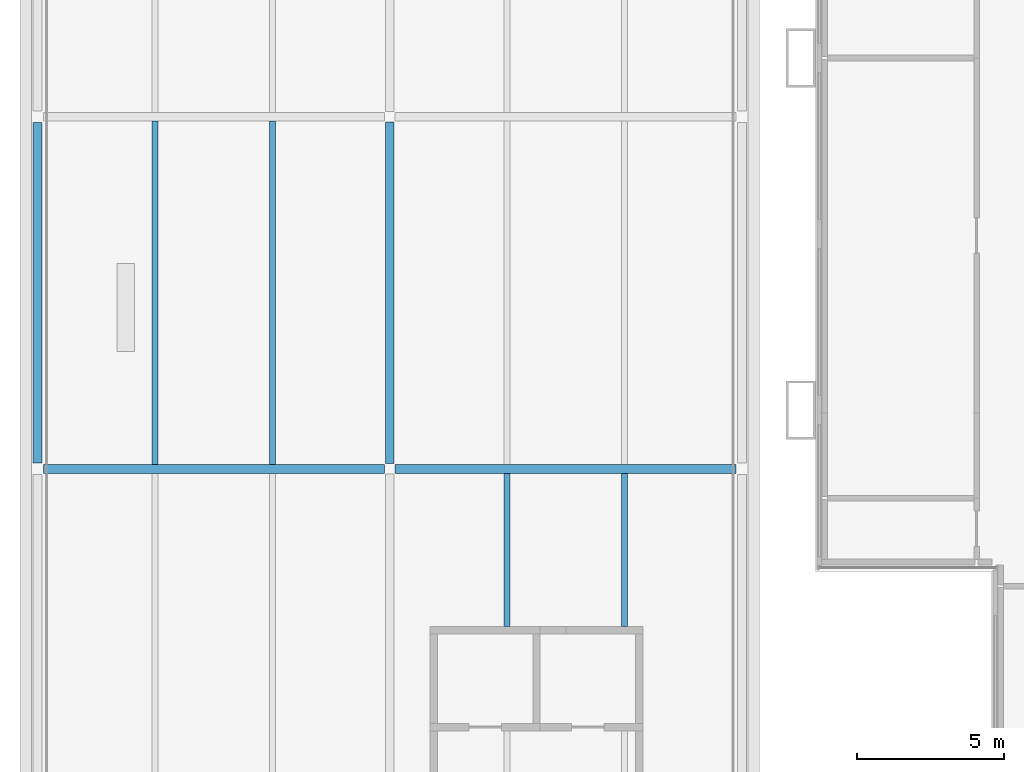
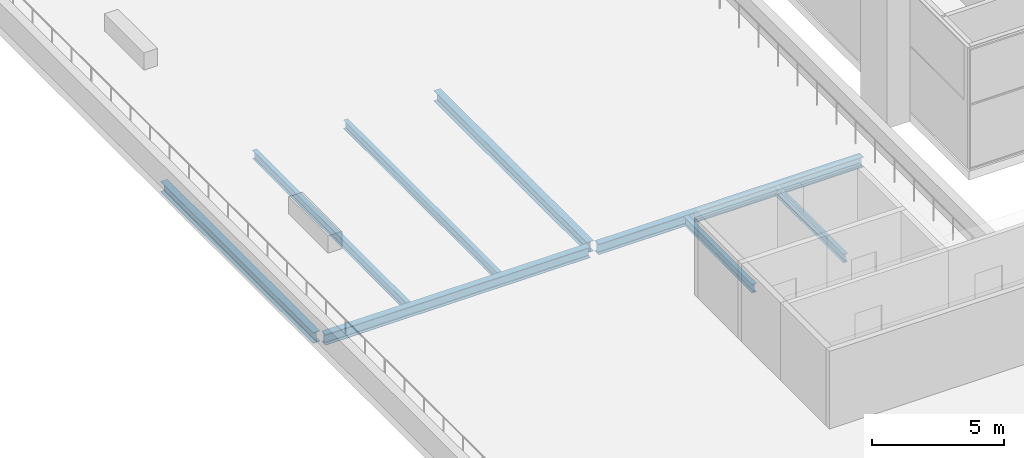
# One storey, part 4 of 27: 8 beams.
"""IFC4 building model written with IfcOpenShell, lengths in metres."""

from ifc_helpers import new_model, si_unit, direction, frame, origin, origin_2d, place, context, subcontext, project, spatial, i_section, extrude, material, material_profile, profile_set, type_object, element, save


model = new_model("IFC4")

# Units and contexts
model_context = context("Model", 3, precision=1e-05, world=origin(), true_north=direction((0.0, 1.0)))
body_context = subcontext(model_context, "Body", "Model", "MODEL_VIEW")
ifc_project = project(units=[si_unit("LENGTHUNIT", "METRE"), si_unit("AREAUNIT", "SQUARE_METRE"), si_unit("VOLUMEUNIT", "CUBIC_METRE"), si_unit("PLANEANGLEUNIT", "RADIAN"), si_unit("MASSUNIT", "GRAM", prefix="KILO")], contexts=[model_context])

# Site, building, storey
site_placement = place(None, origin())
site = spatial("IfcSite", under=ifc_project, at=site_placement, CompositionType="ELEMENT")
building_placement = place(site_placement, origin())
building = spatial("IfcBuilding", under=site, at=building_placement, Name="Kitamizu Gate Tower and Museum", CompositionType="ELEMENT")
storey_placement = place(building_placement, frame((0.0, 0.0, 24.0)))
storey = spatial("IfcBuildingStorey", under=building, at=storey_placement, Name="L04", CompositionType="ELEMENT", Elevation=24.0)

# Beams
ifc_material_1 = material(Name="Steel SS400", Category="steel")
ifc_material_profile_1 = material_profile(ifc_material_1, i_section(OverallWidth=0.300048828125, OverallDepth=0.488037109375, WebThickness=0.010986328125, FlangeThickness=0.01806640625, FilletRadius=0.02587890625, at=origin_2d()), Name="H-488x300x11x18")
ifc_profile_set_1 = profile_set([ifc_material_profile_1], Name="Steel SS400")
beam_type_1 = type_object("IfcBeamType", Name="Museum girder H 488x300x11x18", PredefinedType="BEAM", material=ifc_profile_set_1)
for number, where, z_axis, x_axis, name in (
    (1, (-25.800048828125, 10.0, -0.64404296875), (1.0, 0.0, 0.0), (0.0, 1.0, 0.0), "Girder xM1M2MD"),
    (2, (-13.824951171875, 10.0, -0.64404296875), (1.0, 0.0, 0.0), (0.0, 1.0, 0.0), "Girder xM2M3MD"),
):
    element("IfcBeam", number, at=place(storey_placement, frame(where, z_axis=z_axis, x_axis=x_axis)), inside=storey, type_object=beam_type_1, Name=name, PredefinedType="BEAM", context=body_context, shape_type="SweptSolid", body=[
        extrude(i_section(OverallWidth=0.300048828125, OverallDepth=0.488037109375, WebThickness=0.010986328125, FlangeThickness=0.01806640625, FilletRadius=0.02587890625, at=origin_2d()), origin(), (0.0, 0.0, 1.0), 11.625),
    ])
beam_1_placement = place(storey_placement, frame((-26.0, 10.199951171875, -0.64404296875), z_axis=(0.0, 1.0, 0.0), x_axis=(-1.0, 0.0, 0.0)))
element("IfcBeam", 3, at=beam_1_placement, inside=storey, type_object=beam_type_1, Name="Girder yM1MDME", PredefinedType="BEAM", context=body_context, shape_type="SweptSolid", body=[
    extrude(i_section(OverallWidth=0.300048828125, OverallDepth=0.488037109375, WebThickness=0.010986328125, FlangeThickness=0.01806640625, FilletRadius=0.02587890625, at=origin_2d()), origin(), (0.0, 0.0, 1.0), 11.60009765625),
])
beam_2_placement = place(storey_placement, frame((-14.0, 10.175048828125, -0.64404296875), z_axis=(0.0, 1.0, 0.0), x_axis=(-1.0, 0.0, 0.0)))
element("IfcBeam", 4, at=beam_2_placement, inside=storey, type_object=beam_type_1, Name="Girder yM2MDME", PredefinedType="BEAM", context=body_context, shape_type="SweptSolid", body=[
    extrude(i_section(OverallWidth=0.300048828125, OverallDepth=0.488037109375, WebThickness=0.010986328125, FlangeThickness=0.01806640625, FilletRadius=0.02587890625, at=origin_2d()), origin(), (0.0, 0.0, 1.0), 11.64990234375),
])
ifc_material_2 = material(Name="Steel SS400", Category="steel")
ifc_material_profile_2 = material_profile(ifc_material_2, i_section(OverallWidth=0.198974609375, OverallDepth=0.39599609375, WebThickness=0.007080078125, FlangeThickness=0.010986328125, FilletRadius=0.01611328125, at=origin_2d()), Name="H-396x199x7x11")
ifc_profile_set_2 = profile_set([ifc_material_profile_2], Name="Steel SS400")
beam_type_2 = type_object("IfcBeamType", Name="Museum secondary beam H 396x199x7x11", PredefinedType="JOIST", material=ifc_profile_set_2)
for number, where, z_axis, x_axis, name in (
    (5, (-22.0, 10.14990234375, -0.597900390625), (0.0, 1.0, 0.0), (-1.0, 0.0, 0.0), "Secondary beam M1M2MDME.1"),
    (6, (-18.0, 10.14990234375, -0.597900390625), (0.0, 1.0, 0.0), (-1.0, 0.0, 0.0), "Secondary beam M1M2MDME.2"),
):
    element("IfcBeam", number, at=place(storey_placement, frame(where, z_axis=z_axis, x_axis=x_axis)), inside=storey, type_object=beam_type_2, Name=name, PredefinedType="JOIST", context=body_context, shape_type="SweptSolid", body=[
        extrude(i_section(OverallWidth=0.198974609375, OverallDepth=0.39599609375, WebThickness=0.007080078125, FlangeThickness=0.010986328125, FilletRadius=0.01611328125, at=origin_2d()), origin(), (0.0, 0.0, 1.0), 11.7001953125),
    ])
for number, where, z_axis, x_axis, name in (
    (7, (-10.0, 4.625, -0.597900390625), (0.0, 1.0, 0.0), (-1.0, 0.0, 0.0), "Secondary beam M2M3MCMD.1"),
    (8, (-6.0, 4.625, -0.597900390625), (0.0, 1.0, 0.0), (-1.0, 0.0, 0.0), "Secondary beam M2M3MCMD.2"),
):
    element("IfcBeam", number, at=place(storey_placement, frame(where, z_axis=z_axis, x_axis=x_axis)), inside=storey, type_object=beam_type_2, Name=name, PredefinedType="JOIST", context=body_context, shape_type="SweptSolid", body=[
        extrude(i_section(OverallWidth=0.198974609375, OverallDepth=0.39599609375, WebThickness=0.007080078125, FlangeThickness=0.010986328125, FilletRadius=0.01611328125, at=origin_2d()), origin(), (0.0, 0.0, 1.0), 5.22509765625),
    ])

save(model, "model.ifc")
